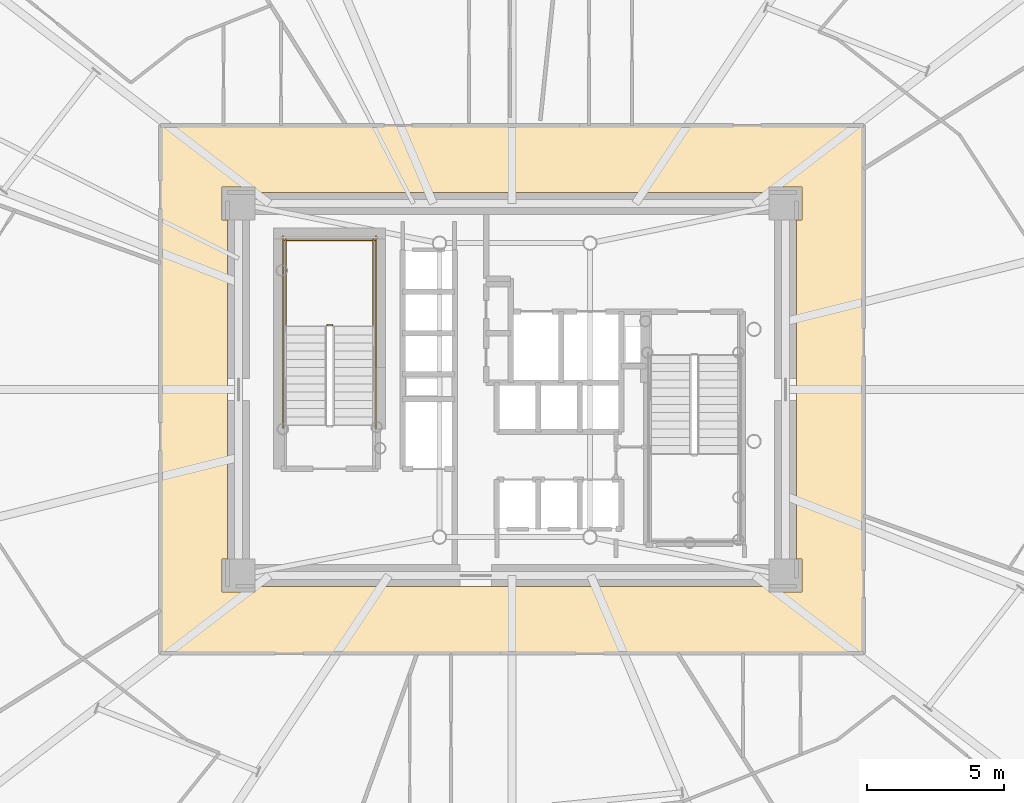
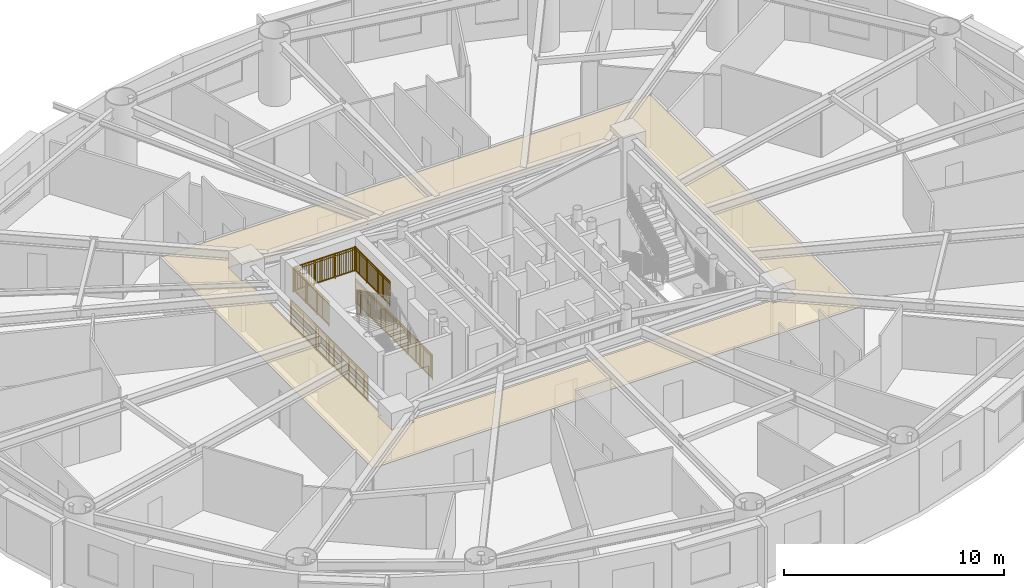
# One storey, part 18 of 21: 6 railings, 1 covering.
"""IFC4 building model written with IfcOpenShell, lengths in metres."""

from ifc_helpers import new_model, si_unit, direction, frame, origin, origin_2d, place, context, subcontext, project, spatial, polyline, rectangle, outline, extrude, source, transform, mapped, material, layer, layer_set, type_object, element, save


model = new_model("IFC4")

# Units and contexts
model_context = context("Model", 3, precision=1e-05, world=origin(), true_north=direction((0.0, 1.0)))
body_context = subcontext(model_context, "Body", "Model", "MODEL_VIEW")
ifc_project = project(units=[si_unit("LENGTHUNIT", "METRE"), si_unit("AREAUNIT", "SQUARE_METRE"), si_unit("VOLUMEUNIT", "CUBIC_METRE"), si_unit("PLANEANGLEUNIT", "RADIAN"), si_unit("MASSUNIT", "GRAM", prefix="KILO")], contexts=[model_context])

# Site, building, storey
site_placement = place(None, origin())
site = spatial("IfcSite", under=ifc_project, at=site_placement, CompositionType="ELEMENT")
building_placement = place(site_placement, origin())
building = spatial("IfcBuilding", under=site, at=building_placement, Name="Linh Dai School and Residence Tower", CompositionType="ELEMENT")
storey_placement = place(building_placement, frame((0.0, 0.0, 115.949951171875)))
storey = spatial("IfcBuildingStorey", under=building, at=storey_placement, Name="L27", CompositionType="ELEMENT", Elevation=115.949951171875)

# Covering
ifc_material_1 = material(Name="Mineral Fibre Acoustic Suspended Ceiling", Category="masonry")
ifc_layer = layer(ifc_material_1, 0.02001953125)
ifc_layer_set = layer_set([ifc_layer], Name="Mineral Fibre Acoustic Suspended Ceiling")
covering_type = type_object("IfcCoveringType", Name="COV-CEIL-AC-20", PredefinedType="CEILING", material=ifc_layer_set)
covering_placement = place(storey_placement, frame((0.0, 0.0, 2.85009765625)))
element("IfcCovering", 1, at=covering_placement, inside=storey, type_object=covering_type, Name="L27 Residential Floor Corridor Suspended Ceiling", PredefinedType="CEILING", context=body_context, shape_type="SweptSolid", body=[
    extrude(outline(polyline([(48.85009765625, 36.64990234375), (48.85009765625, 17.35009765625), (23.14990234375, 17.35009765625), (23.14990234375, 36.64990234375), (48.85009765625, 36.64990234375)]), holes=[polyline([(26.60009765625, 34.199951171875), (26.60009765625, 34.39990234375), (25.39990234375, 34.39990234375), (25.39990234375, 33.199951171875), (25.60009765625, 33.199951171875), (25.60009765625, 20.800048828125), (25.39990234375, 20.800048828125), (25.39990234375, 19.60009765625), (26.60009765625, 19.60009765625), (26.60009765625, 19.800048828125), (45.39990234375, 19.800048828125), (45.39990234375, 19.60009765625), (46.60009765625, 19.60009765625), (46.60009765625, 20.800048828125), (46.39990234375, 20.800048828125), (46.39990234375, 33.199951171875), (46.60009765625, 33.199951171875), (46.60009765625, 34.39990234375), (45.39990234375, 34.39990234375), (45.39990234375, 34.199951171875), (26.60009765625, 34.199951171875)])]), origin(), (0.0, 0.0, 1.0), 0.02001953125),
])

# Railings
ifc_material_2 = material(Name="Structural Steel S355JR", Category="steel")
railing_type = type_object("IfcRailingType", Name="RL-ST-GUARD-1400", PredefinedType="GUARDRAIL", material=ifc_material_2)
shared_shape_1 = source(origin(), body_context, "Body", "SweptSolid", [
    extrude(rectangle(XDim=0.048095703125, YDim=0.048095703125, at=origin_2d()), frame((0.0, 0.0, 1.3759765625), z_axis=(-1.0, 0.0, 0.0), x_axis=(0.0, -1.0, 0.0)), (0.0, 0.0, 1.0), 0.199951171875),
    extrude(rectangle(XDim=0.048095703125, YDim=0.048095703125, at=origin_2d()), frame((0.0, 0.0, 0.10009765625), z_axis=(-1.0, 0.0, 0.0), x_axis=(0.0, -1.0, 0.0)), (0.0, 0.0, 1.0), 0.199951171875),
    extrude(rectangle(XDim=0.030029296875, YDim=0.030029296875, at=origin_2d()), frame((0.0, 0.0, 1.239990234375), z_axis=(-1.0, 0.0, 0.0), x_axis=(0.0, -1.0, 0.0)), (0.0, 0.0, 1.0), 0.199951171875),
    extrude(rectangle(XDim=0.0419921875, YDim=0.0419921875, at=origin_2d()), origin(), (0.0, 0.0, 1.0), 1.3759765625),
    extrude(rectangle(XDim=0.0419921875, YDim=0.0419921875, at=origin_2d()), frame((-0.199951171875, 0.0, 0.0)), (0.0, 0.0, 1.0), 1.3759765625),
])
railing_1_placement = place(storey_placement, frame((29.429931640625, 29.35009765625, 1.875)))
element("IfcRailing", 2, at=railing_1_placement, inside=storey, type_object=railing_type, Name="L27 ST1 stair guard 2", PredefinedType="GUARDRAIL", context=body_context, shape_type="MappedRepresentation", body=[
    mapped(shared_shape_1, transform((0.0, 0.0, 0.0), x_axis=(1.0, 0.0, 0.0), y_axis=(0.0, 1.0, 0.0), z_axis=(0.0, 0.0, 1.0), scale=1.0)),
])
shared_shape_2 = source(origin(), body_context, "Body", "SweptSolid", [
    extrude(rectangle(XDim=0.048095703125, YDim=0.048095703125, at=origin_2d()), frame((0.0, 0.0, 1.3759765625), z_axis=(-1.0, 0.0, 0.0), x_axis=(0.0, -1.0, 0.0)), (0.0, 0.0, 1.0), 3.300048828125),
    extrude(rectangle(XDim=0.048095703125, YDim=0.048095703125, at=origin_2d()), frame((0.0, 0.0, 0.10009765625), z_axis=(-1.0, 0.0, 0.0), x_axis=(0.0, -1.0, 0.0)), (0.0, 0.0, 1.0), 3.300048828125),
    extrude(rectangle(XDim=0.030029296875, YDim=0.030029296875, at=origin_2d()), frame((0.0, 0.0, 1.239990234375), z_axis=(-1.0, 0.0, 0.0), x_axis=(0.0, -1.0, 0.0)), (0.0, 0.0, 1.0), 3.300048828125),
    extrude(rectangle(XDim=0.02001953125, YDim=0.02001953125, at=origin_2d()), frame((-0.09716796875, 0.0, 0.10009765625)), (0.0, 0.0, 1.0), 1.251708984375),
    extrude(rectangle(XDim=0.02001953125, YDim=0.02001953125, at=origin_2d()), frame((-0.194091796875, 0.0, 0.10009765625)), (0.0, 0.0, 1.0), 1.251708984375),
    extrude(rectangle(XDim=0.02001953125, YDim=0.02001953125, at=origin_2d()), frame((-0.291259765625, 0.0, 0.10009765625)), (0.0, 0.0, 1.0), 1.251708984375),
    extrude(rectangle(XDim=0.02001953125, YDim=0.02001953125, at=origin_2d()), frame((-0.38818359375, 0.0, 0.10009765625)), (0.0, 0.0, 1.0), 1.251708984375),
    extrude(rectangle(XDim=0.02001953125, YDim=0.02001953125, at=origin_2d()), frame((-0.4853515625, 0.0, 0.10009765625)), (0.0, 0.0, 1.0), 1.251708984375),
    extrude(rectangle(XDim=0.02001953125, YDim=0.02001953125, at=origin_2d()), frame((-0.582275390625, 0.0, 0.10009765625)), (0.0, 0.0, 1.0), 1.251708984375),
    extrude(rectangle(XDim=0.02001953125, YDim=0.02001953125, at=origin_2d()), frame((-0.679443359375, 0.0, 0.10009765625)), (0.0, 0.0, 1.0), 1.251708984375),
    extrude(rectangle(XDim=0.02001953125, YDim=0.02001953125, at=origin_2d()), frame((-0.7763671875, 0.0, 0.10009765625)), (0.0, 0.0, 1.0), 1.251708984375),
    extrude(rectangle(XDim=0.02001953125, YDim=0.02001953125, at=origin_2d()), frame((-0.87353515625, 0.0, 0.10009765625)), (0.0, 0.0, 1.0), 1.251708984375),
    extrude(rectangle(XDim=0.02001953125, YDim=0.02001953125, at=origin_2d()), frame((-0.970703125, 0.0, 0.10009765625)), (0.0, 0.0, 1.0), 1.251708984375),
    extrude(rectangle(XDim=0.02001953125, YDim=0.02001953125, at=origin_2d()), frame((-1.164794921875, 0.0, 0.10009765625)), (0.0, 0.0, 1.0), 1.251708984375),
    extrude(rectangle(XDim=0.02001953125, YDim=0.02001953125, at=origin_2d()), frame((-1.26171875, 0.0, 0.10009765625)), (0.0, 0.0, 1.0), 1.251708984375),
    extrude(rectangle(XDim=0.02001953125, YDim=0.02001953125, at=origin_2d()), frame((-1.35888671875, 0.0, 0.10009765625)), (0.0, 0.0, 1.0), 1.251708984375),
    extrude(rectangle(XDim=0.02001953125, YDim=0.02001953125, at=origin_2d()), frame((-1.455810546875, 0.0, 0.10009765625)), (0.0, 0.0, 1.0), 1.251708984375),
    extrude(rectangle(XDim=0.02001953125, YDim=0.02001953125, at=origin_2d()), frame((-1.552978515625, 0.0, 0.10009765625)), (0.0, 0.0, 1.0), 1.251708984375),
    extrude(rectangle(XDim=0.02001953125, YDim=0.02001953125, at=origin_2d()), frame((-1.64990234375, 0.0, 0.10009765625)), (0.0, 0.0, 1.0), 1.251708984375),
    extrude(rectangle(XDim=0.02001953125, YDim=0.02001953125, at=origin_2d()), frame((-1.7470703125, 0.0, 0.10009765625)), (0.0, 0.0, 1.0), 1.251708984375),
    extrude(rectangle(XDim=0.02001953125, YDim=0.02001953125, at=origin_2d()), frame((-1.84423828125, 0.0, 0.10009765625)), (0.0, 0.0, 1.0), 1.251708984375),
    extrude(rectangle(XDim=0.02001953125, YDim=0.02001953125, at=origin_2d()), frame((-1.941162109375, 0.0, 0.10009765625)), (0.0, 0.0, 1.0), 1.251708984375),
    extrude(rectangle(XDim=0.02001953125, YDim=0.02001953125, at=origin_2d()), frame((-2.038330078125, 0.0, 0.10009765625)), (0.0, 0.0, 1.0), 1.251708984375),
    extrude(rectangle(XDim=0.02001953125, YDim=0.02001953125, at=origin_2d()), frame((-2.13525390625, 0.0, 0.10009765625)), (0.0, 0.0, 1.0), 1.251708984375),
    extrude(rectangle(XDim=0.02001953125, YDim=0.02001953125, at=origin_2d()), frame((-2.329345703125, 0.0, 0.10009765625)), (0.0, 0.0, 1.0), 1.251708984375),
    extrude(rectangle(XDim=0.02001953125, YDim=0.02001953125, at=origin_2d()), frame((-2.426513671875, 0.0, 0.10009765625)), (0.0, 0.0, 1.0), 1.251708984375),
    extrude(rectangle(XDim=0.02001953125, YDim=0.02001953125, at=origin_2d()), frame((-2.523681640625, 0.0, 0.10009765625)), (0.0, 0.0, 1.0), 1.251708984375),
    extrude(rectangle(XDim=0.02001953125, YDim=0.02001953125, at=origin_2d()), frame((-2.62060546875, 0.0, 0.10009765625)), (0.0, 0.0, 1.0), 1.251708984375),
    extrude(rectangle(XDim=0.02001953125, YDim=0.02001953125, at=origin_2d()), frame((-2.7177734375, 0.0, 0.10009765625)), (0.0, 0.0, 1.0), 1.251708984375),
    extrude(rectangle(XDim=0.02001953125, YDim=0.02001953125, at=origin_2d()), frame((-2.814697265625, 0.0, 0.10009765625)), (0.0, 0.0, 1.0), 1.251708984375),
    extrude(rectangle(XDim=0.02001953125, YDim=0.02001953125, at=origin_2d()), frame((-2.911865234375, 0.0, 0.10009765625)), (0.0, 0.0, 1.0), 1.251708984375),
    extrude(rectangle(XDim=0.02001953125, YDim=0.02001953125, at=origin_2d()), frame((-3.0087890625, 0.0, 0.10009765625)), (0.0, 0.0, 1.0), 1.251708984375),
    extrude(rectangle(XDim=0.02001953125, YDim=0.02001953125, at=origin_2d()), frame((-3.10595703125, 0.0, 0.10009765625)), (0.0, 0.0, 1.0), 1.251708984375),
    extrude(rectangle(XDim=0.02001953125, YDim=0.02001953125, at=origin_2d()), frame((-3.202880859375, 0.0, 0.10009765625)), (0.0, 0.0, 1.0), 1.251708984375),
    extrude(rectangle(XDim=0.0419921875, YDim=0.0419921875, at=origin_2d()), origin(), (0.0, 0.0, 1.0), 1.3759765625),
    extrude(rectangle(XDim=0.0419921875, YDim=0.0419921875, at=origin_2d()), frame((-1.10009765625, 0.0, 0.0)), (0.0, 0.0, 1.0), 1.3759765625),
    extrude(rectangle(XDim=0.0419921875, YDim=0.0419921875, at=origin_2d()), frame((-2.199951171875, 0.0, 0.0)), (0.0, 0.0, 1.0), 1.3759765625),
    extrude(rectangle(XDim=0.0419921875, YDim=0.0419921875, at=origin_2d()), frame((-3.300048828125, 0.0, 0.0)), (0.0, 0.0, 1.0), 1.3759765625),
])
railing_2_placement = place(storey_placement, frame((30.97998046875, 32.449951171875, 1.875)))
element("IfcRailing", 3, at=railing_2_placement, inside=storey, type_object=railing_type, Name="L27 ST1 stair guard 5", PredefinedType="GUARDRAIL", context=body_context, shape_type="MappedRepresentation", body=[
    mapped(shared_shape_2, transform((0.0, 0.0, 0.0), x_axis=(1.0, 0.0, 0.0), y_axis=(0.0, 1.0, 0.0), z_axis=(0.0, 0.0, 1.0), scale=1.0)),
])
shared_shape_3 = source(origin(), body_context, "Body", "SweptSolid", [
    extrude(rectangle(XDim=0.048095703125, YDim=0.048095703125, at=origin_2d()), frame((0.0, 0.0, 1.3759765625), z_axis=(0.0, 1.0, 0.0), x_axis=(-1.0, 0.0, 0.0)), (0.0, 0.0, 1.0), 7.0),
    extrude(rectangle(XDim=0.048095703125, YDim=0.048095703125, at=origin_2d()), frame((0.0, 0.0, 0.10009765625), z_axis=(0.0, 1.0, 0.0), x_axis=(-1.0, 0.0, 0.0)), (0.0, 0.0, 1.0), 7.0),
    extrude(rectangle(XDim=0.030029296875, YDim=0.030029296875, at=origin_2d()), frame((0.0, 0.0, 1.239990234375), z_axis=(0.0, 1.0, 0.0), x_axis=(-1.0, 0.0, 0.0)), (0.0, 0.0, 1.0), 7.0),
    extrude(rectangle(XDim=0.02001953125, YDim=0.02001953125, at=origin_2d()), frame((0.0, 0.09716796875, 0.10009765625)), (0.0, 0.0, 1.0), 1.251708984375),
    extrude(rectangle(XDim=0.02001953125, YDim=0.02001953125, at=origin_2d()), frame((0.0, 0.1943359375, 0.10009765625)), (0.0, 0.0, 1.0), 1.251708984375),
    extrude(rectangle(XDim=0.02001953125, YDim=0.02001953125, at=origin_2d()), frame((0.0, 0.291748046875, 0.10009765625)), (0.0, 0.0, 1.0), 1.251708984375),
    extrude(rectangle(XDim=0.02001953125, YDim=0.02001953125, at=origin_2d()), frame((0.0, 0.388916015625, 0.10009765625)), (0.0, 0.0, 1.0), 1.251708984375),
    extrude(rectangle(XDim=0.02001953125, YDim=0.02001953125, at=origin_2d()), frame((0.0, 0.486083984375, 0.10009765625)), (0.0, 0.0, 1.0), 1.251708984375),
    extrude(rectangle(XDim=0.02001953125, YDim=0.02001953125, at=origin_2d()), frame((0.0, 0.583251953125, 0.10009765625)), (0.0, 0.0, 1.0), 1.251708984375),
    extrude(rectangle(XDim=0.02001953125, YDim=0.02001953125, at=origin_2d()), frame((0.0, 0.6806640625, 0.10009765625)), (0.0, 0.0, 1.0), 1.251708984375),
    extrude(rectangle(XDim=0.02001953125, YDim=0.02001953125, at=origin_2d()), frame((0.0, 0.77783203125, 0.10009765625)), (0.0, 0.0, 1.0), 1.251708984375),
    extrude(rectangle(XDim=0.02001953125, YDim=0.02001953125, at=origin_2d()), frame((0.0, 0.875, 0.10009765625)), (0.0, 0.0, 1.0), 1.251708984375),
    extrude(rectangle(XDim=0.02001953125, YDim=0.02001953125, at=origin_2d()), frame((0.0, 0.97216796875, 0.10009765625)), (0.0, 0.0, 1.0), 1.251708984375),
    extrude(rectangle(XDim=0.02001953125, YDim=0.02001953125, at=origin_2d()), frame((0.0, 1.0693359375, 0.10009765625)), (0.0, 0.0, 1.0), 1.251708984375),
    extrude(rectangle(XDim=0.02001953125, YDim=0.02001953125, at=origin_2d()), frame((0.0, 1.263916015625, 0.10009765625)), (0.0, 0.0, 1.0), 1.251708984375),
    extrude(rectangle(XDim=0.02001953125, YDim=0.02001953125, at=origin_2d()), frame((0.0, 1.361083984375, 0.10009765625)), (0.0, 0.0, 1.0), 1.251708984375),
    extrude(rectangle(XDim=0.02001953125, YDim=0.02001953125, at=origin_2d()), frame((0.0, 1.458251953125, 0.10009765625)), (0.0, 0.0, 1.0), 1.251708984375),
    extrude(rectangle(XDim=0.02001953125, YDim=0.02001953125, at=origin_2d()), frame((0.0, 1.5556640625, 0.10009765625)), (0.0, 0.0, 1.0), 1.251708984375),
    extrude(rectangle(XDim=0.02001953125, YDim=0.02001953125, at=origin_2d()), frame((0.0, 1.65283203125, 0.10009765625)), (0.0, 0.0, 1.0), 1.251708984375),
    extrude(rectangle(XDim=0.02001953125, YDim=0.02001953125, at=origin_2d()), frame((0.0, 1.75, 0.10009765625)), (0.0, 0.0, 1.0), 1.251708984375),
    extrude(rectangle(XDim=0.02001953125, YDim=0.02001953125, at=origin_2d()), frame((0.0, 1.84716796875, 0.10009765625)), (0.0, 0.0, 1.0), 1.251708984375),
    extrude(rectangle(XDim=0.02001953125, YDim=0.02001953125, at=origin_2d()), frame((0.0, 1.9443359375, 0.10009765625)), (0.0, 0.0, 1.0), 1.251708984375),
    extrude(rectangle(XDim=0.02001953125, YDim=0.02001953125, at=origin_2d()), frame((0.0, 2.041748046875, 0.10009765625)), (0.0, 0.0, 1.0), 1.251708984375),
    extrude(rectangle(XDim=0.02001953125, YDim=0.02001953125, at=origin_2d()), frame((0.0, 2.138916015625, 0.10009765625)), (0.0, 0.0, 1.0), 1.251708984375),
    extrude(rectangle(XDim=0.02001953125, YDim=0.02001953125, at=origin_2d()), frame((0.0, 2.236083984375, 0.10009765625)), (0.0, 0.0, 1.0), 1.251708984375),
    extrude(rectangle(XDim=0.02001953125, YDim=0.02001953125, at=origin_2d()), frame((0.0, 2.4306640625, 0.10009765625)), (0.0, 0.0, 1.0), 1.251708984375),
    extrude(rectangle(XDim=0.02001953125, YDim=0.02001953125, at=origin_2d()), frame((0.0, 2.52783203125, 0.10009765625)), (0.0, 0.0, 1.0), 1.251708984375),
    extrude(rectangle(XDim=0.02001953125, YDim=0.02001953125, at=origin_2d()), frame((0.0, 2.625, 0.10009765625)), (0.0, 0.0, 1.0), 1.251708984375),
    extrude(rectangle(XDim=0.02001953125, YDim=0.02001953125, at=origin_2d()), frame((0.0, 2.72216796875, 0.10009765625)), (0.0, 0.0, 1.0), 1.251708984375),
    extrude(rectangle(XDim=0.02001953125, YDim=0.02001953125, at=origin_2d()), frame((0.0, 2.8193359375, 0.10009765625)), (0.0, 0.0, 1.0), 1.251708984375),
    extrude(rectangle(XDim=0.02001953125, YDim=0.02001953125, at=origin_2d()), frame((0.0, 2.916748046875, 0.10009765625)), (0.0, 0.0, 1.0), 1.251708984375),
    extrude(rectangle(XDim=0.02001953125, YDim=0.02001953125, at=origin_2d()), frame((0.0, 3.013916015625, 0.10009765625)), (0.0, 0.0, 1.0), 1.251708984375),
    extrude(rectangle(XDim=0.02001953125, YDim=0.02001953125, at=origin_2d()), frame((0.0, 3.111083984375, 0.10009765625)), (0.0, 0.0, 1.0), 1.251708984375),
    extrude(rectangle(XDim=0.02001953125, YDim=0.02001953125, at=origin_2d()), frame((0.0, 3.208251953125, 0.10009765625)), (0.0, 0.0, 1.0), 1.251708984375),
    extrude(rectangle(XDim=0.02001953125, YDim=0.02001953125, at=origin_2d()), frame((0.0, 3.3056640625, 0.10009765625)), (0.0, 0.0, 1.0), 1.251708984375),
    extrude(rectangle(XDim=0.02001953125, YDim=0.02001953125, at=origin_2d()), frame((0.0, 3.40283203125, 0.10009765625)), (0.0, 0.0, 1.0), 1.251708984375),
    extrude(rectangle(XDim=0.02001953125, YDim=0.02001953125, at=origin_2d()), frame((0.0, 3.59716796875, 0.10009765625)), (0.0, 0.0, 1.0), 1.251708984375),
    extrude(rectangle(XDim=0.02001953125, YDim=0.02001953125, at=origin_2d()), frame((0.0, 3.6943359375, 0.10009765625)), (0.0, 0.0, 1.0), 1.251708984375),
    extrude(rectangle(XDim=0.02001953125, YDim=0.02001953125, at=origin_2d()), frame((0.0, 3.791748046875, 0.10009765625)), (0.0, 0.0, 1.0), 1.251708984375),
    extrude(rectangle(XDim=0.02001953125, YDim=0.02001953125, at=origin_2d()), frame((0.0, 3.888916015625, 0.10009765625)), (0.0, 0.0, 1.0), 1.251708984375),
    extrude(rectangle(XDim=0.02001953125, YDim=0.02001953125, at=origin_2d()), frame((0.0, 3.986083984375, 0.10009765625)), (0.0, 0.0, 1.0), 1.251708984375),
    extrude(rectangle(XDim=0.02001953125, YDim=0.02001953125, at=origin_2d()), frame((0.0, 4.083251953125, 0.10009765625)), (0.0, 0.0, 1.0), 1.251708984375),
    extrude(rectangle(XDim=0.02001953125, YDim=0.02001953125, at=origin_2d()), frame((0.0, 4.1806640625, 0.10009765625)), (0.0, 0.0, 1.0), 1.251708984375),
    extrude(rectangle(XDim=0.02001953125, YDim=0.02001953125, at=origin_2d()), frame((0.0, 4.27783203125, 0.10009765625)), (0.0, 0.0, 1.0), 1.251708984375),
    extrude(rectangle(XDim=0.02001953125, YDim=0.02001953125, at=origin_2d()), frame((0.0, 4.375, 0.10009765625)), (0.0, 0.0, 1.0), 1.251708984375),
    extrude(rectangle(XDim=0.02001953125, YDim=0.02001953125, at=origin_2d()), frame((0.0, 4.47216796875, 0.10009765625)), (0.0, 0.0, 1.0), 1.251708984375),
    extrude(rectangle(XDim=0.02001953125, YDim=0.02001953125, at=origin_2d()), frame((0.0, 4.5693359375, 0.10009765625)), (0.0, 0.0, 1.0), 1.251708984375),
    extrude(rectangle(XDim=0.02001953125, YDim=0.02001953125, at=origin_2d()), frame((0.0, 4.763916015625, 0.10009765625)), (0.0, 0.0, 1.0), 1.251708984375),
    extrude(rectangle(XDim=0.02001953125, YDim=0.02001953125, at=origin_2d()), frame((0.0, 4.861083984375, 0.10009765625)), (0.0, 0.0, 1.0), 1.251708984375),
    extrude(rectangle(XDim=0.02001953125, YDim=0.02001953125, at=origin_2d()), frame((0.0, 4.958251953125, 0.10009765625)), (0.0, 0.0, 1.0), 1.251708984375),
    extrude(rectangle(XDim=0.02001953125, YDim=0.02001953125, at=origin_2d()), frame((0.0, 5.0556640625, 0.10009765625)), (0.0, 0.0, 1.0), 1.251708984375),
    extrude(rectangle(XDim=0.02001953125, YDim=0.02001953125, at=origin_2d()), frame((0.0, 5.15283203125, 0.10009765625)), (0.0, 0.0, 1.0), 1.251708984375),
    extrude(rectangle(XDim=0.02001953125, YDim=0.02001953125, at=origin_2d()), frame((0.0, 5.25, 0.10009765625)), (0.0, 0.0, 1.0), 1.251708984375),
    extrude(rectangle(XDim=0.02001953125, YDim=0.02001953125, at=origin_2d()), frame((0.0, 5.34716796875, 0.10009765625)), (0.0, 0.0, 1.0), 1.251708984375),
    extrude(rectangle(XDim=0.02001953125, YDim=0.02001953125, at=origin_2d()), frame((0.0, 5.4443359375, 0.10009765625)), (0.0, 0.0, 1.0), 1.251708984375),
    extrude(rectangle(XDim=0.02001953125, YDim=0.02001953125, at=origin_2d()), frame((0.0, 5.541748046875, 0.10009765625)), (0.0, 0.0, 1.0), 1.251708984375),
    extrude(rectangle(XDim=0.02001953125, YDim=0.02001953125, at=origin_2d()), frame((0.0, 5.638916015625, 0.10009765625)), (0.0, 0.0, 1.0), 1.251708984375),
    extrude(rectangle(XDim=0.02001953125, YDim=0.02001953125, at=origin_2d()), frame((0.0, 5.736083984375, 0.10009765625)), (0.0, 0.0, 1.0), 1.251708984375),
    extrude(rectangle(XDim=0.02001953125, YDim=0.02001953125, at=origin_2d()), frame((0.0, 5.9306640625, 0.10009765625)), (0.0, 0.0, 1.0), 1.251708984375),
    extrude(rectangle(XDim=0.02001953125, YDim=0.02001953125, at=origin_2d()), frame((0.0, 6.02783203125, 0.10009765625)), (0.0, 0.0, 1.0), 1.251708984375),
    extrude(rectangle(XDim=0.02001953125, YDim=0.02001953125, at=origin_2d()), frame((0.0, 6.125, 0.10009765625)), (0.0, 0.0, 1.0), 1.251708984375),
    extrude(rectangle(XDim=0.02001953125, YDim=0.02001953125, at=origin_2d()), frame((0.0, 6.22216796875, 0.10009765625)), (0.0, 0.0, 1.0), 1.251708984375),
    extrude(rectangle(XDim=0.02001953125, YDim=0.02001953125, at=origin_2d()), frame((0.0, 6.3193359375, 0.10009765625)), (0.0, 0.0, 1.0), 1.251708984375),
    extrude(rectangle(XDim=0.02001953125, YDim=0.02001953125, at=origin_2d()), frame((0.0, 6.416748046875, 0.10009765625)), (0.0, 0.0, 1.0), 1.251708984375),
    extrude(rectangle(XDim=0.02001953125, YDim=0.02001953125, at=origin_2d()), frame((0.0, 6.513916015625, 0.10009765625)), (0.0, 0.0, 1.0), 1.251708984375),
    extrude(rectangle(XDim=0.02001953125, YDim=0.02001953125, at=origin_2d()), frame((0.0, 6.611083984375, 0.10009765625)), (0.0, 0.0, 1.0), 1.251708984375),
    extrude(rectangle(XDim=0.02001953125, YDim=0.02001953125, at=origin_2d()), frame((0.0, 6.708251953125, 0.10009765625)), (0.0, 0.0, 1.0), 1.251708984375),
    extrude(rectangle(XDim=0.02001953125, YDim=0.02001953125, at=origin_2d()), frame((0.0, 6.8056640625, 0.10009765625)), (0.0, 0.0, 1.0), 1.251708984375),
    extrude(rectangle(XDim=0.02001953125, YDim=0.02001953125, at=origin_2d()), frame((0.0, 6.90283203125, 0.10009765625)), (0.0, 0.0, 1.0), 1.251708984375),
    extrude(rectangle(XDim=0.0419921875, YDim=0.0419921875, at=origin_2d()), origin(), (0.0, 0.0, 1.0), 1.3759765625),
    extrude(rectangle(XDim=0.0419921875, YDim=0.0419921875, at=origin_2d()), frame((0.0, 1.166748046875, 0.0)), (0.0, 0.0, 1.0), 1.3759765625),
    extrude(rectangle(XDim=0.0419921875, YDim=0.0419921875, at=origin_2d()), frame((0.0, 2.333251953125, 0.0)), (0.0, 0.0, 1.0), 1.3759765625),
    extrude(rectangle(XDim=0.0419921875, YDim=0.0419921875, at=origin_2d()), frame((0.0, 3.5, 0.0)), (0.0, 0.0, 1.0), 1.3759765625),
    extrude(rectangle(XDim=0.0419921875, YDim=0.0419921875, at=origin_2d()), frame((0.0, 4.666748046875, 0.0)), (0.0, 0.0, 1.0), 1.3759765625),
    extrude(rectangle(XDim=0.0419921875, YDim=0.0419921875, at=origin_2d()), frame((0.0, 5.833251953125, 0.0)), (0.0, 0.0, 1.0), 1.3759765625),
    extrude(rectangle(XDim=0.0419921875, YDim=0.0419921875, at=origin_2d()), frame((0.0, 7.0, 0.0)), (0.0, 0.0, 1.0), 1.3759765625),
])
for number, where, name in (
    (4, (31.030029296875, 25.60009765625, 0.0), "L27 ST1 stair guard 10"),
    (5, (27.6298828125, 25.60009765625, 0.0), "L27 ST1 stair guard 11"),
):
    element("IfcRailing", number, at=place(storey_placement, frame(where)), inside=storey, type_object=railing_type, Name=name, PredefinedType="GUARDRAIL", context=body_context, shape_type="MappedRepresentation", body=[
        mapped(shared_shape_3, transform((0.0, 0.0, 0.0), x_axis=(1.0, 0.0, 0.0), y_axis=(0.0, 1.0, 0.0), z_axis=(0.0, 0.0, 1.0), scale=1.0)),
    ])
shared_shape_4 = source(origin(), body_context, "Body", "SweptSolid", [
    extrude(rectangle(XDim=0.048095703125, YDim=0.048095703125, at=origin_2d()), frame((0.0, 0.0, 1.3759765625), z_axis=(0.0, 1.0, 0.0), x_axis=(-1.0, 0.0, 0.0)), (0.0, 0.0, 1.0), 3.199951171875),
    extrude(rectangle(XDim=0.048095703125, YDim=0.048095703125, at=origin_2d()), frame((0.0, 0.0, 0.10009765625), z_axis=(0.0, 1.0, 0.0), x_axis=(-1.0, 0.0, 0.0)), (0.0, 0.0, 1.0), 3.199951171875),
    extrude(rectangle(XDim=0.030029296875, YDim=0.030029296875, at=origin_2d()), frame((0.0, 0.0, 1.239990234375), z_axis=(0.0, 1.0, 0.0), x_axis=(-1.0, 0.0, 0.0)), (0.0, 0.0, 1.0), 3.199951171875),
    extrude(rectangle(XDim=0.02001953125, YDim=0.02001953125, at=origin_2d()), frame((0.0, 0.096923828125, 0.10009765625)), (0.0, 0.0, 1.0), 1.251708984375),
    extrude(rectangle(XDim=0.02001953125, YDim=0.02001953125, at=origin_2d()), frame((0.0, 0.19384765625, 0.10009765625)), (0.0, 0.0, 1.0), 1.251708984375),
    extrude(rectangle(XDim=0.02001953125, YDim=0.02001953125, at=origin_2d()), frame((0.0, 0.291015625, 0.10009765625)), (0.0, 0.0, 1.0), 1.251708984375),
    extrude(rectangle(XDim=0.02001953125, YDim=0.02001953125, at=origin_2d()), frame((0.0, 0.387939453125, 0.10009765625)), (0.0, 0.0, 1.0), 1.251708984375),
    extrude(rectangle(XDim=0.02001953125, YDim=0.02001953125, at=origin_2d()), frame((0.0, 0.48486328125, 0.10009765625)), (0.0, 0.0, 1.0), 1.251708984375),
    extrude(rectangle(XDim=0.02001953125, YDim=0.02001953125, at=origin_2d()), frame((0.0, 0.581787109375, 0.10009765625)), (0.0, 0.0, 1.0), 1.251708984375),
    extrude(rectangle(XDim=0.02001953125, YDim=0.02001953125, at=origin_2d()), frame((0.0, 0.6787109375, 0.10009765625)), (0.0, 0.0, 1.0), 1.251708984375),
    extrude(rectangle(XDim=0.02001953125, YDim=0.02001953125, at=origin_2d()), frame((0.0, 0.775634765625, 0.10009765625)), (0.0, 0.0, 1.0), 1.251708984375),
    extrude(rectangle(XDim=0.02001953125, YDim=0.02001953125, at=origin_2d()), frame((0.0, 0.872802734375, 0.10009765625)), (0.0, 0.0, 1.0), 1.251708984375),
    extrude(rectangle(XDim=0.02001953125, YDim=0.02001953125, at=origin_2d()), frame((0.0, 0.9697265625, 0.10009765625)), (0.0, 0.0, 1.0), 1.251708984375),
    extrude(rectangle(XDim=0.02001953125, YDim=0.02001953125, at=origin_2d()), frame((0.0, 1.16357421875, 0.10009765625)), (0.0, 0.0, 1.0), 1.251708984375),
    extrude(rectangle(XDim=0.02001953125, YDim=0.02001953125, at=origin_2d()), frame((0.0, 1.260498046875, 0.10009765625)), (0.0, 0.0, 1.0), 1.251708984375),
    extrude(rectangle(XDim=0.02001953125, YDim=0.02001953125, at=origin_2d()), frame((0.0, 1.357666015625, 0.10009765625)), (0.0, 0.0, 1.0), 1.251708984375),
    extrude(rectangle(XDim=0.02001953125, YDim=0.02001953125, at=origin_2d()), frame((0.0, 1.45458984375, 0.10009765625)), (0.0, 0.0, 1.0), 1.251708984375),
    extrude(rectangle(XDim=0.02001953125, YDim=0.02001953125, at=origin_2d()), frame((0.0, 1.551513671875, 0.10009765625)), (0.0, 0.0, 1.0), 1.251708984375),
    extrude(rectangle(XDim=0.02001953125, YDim=0.02001953125, at=origin_2d()), frame((0.0, 1.6484375, 0.10009765625)), (0.0, 0.0, 1.0), 1.251708984375),
    extrude(rectangle(XDim=0.02001953125, YDim=0.02001953125, at=origin_2d()), frame((0.0, 1.745361328125, 0.10009765625)), (0.0, 0.0, 1.0), 1.251708984375),
    extrude(rectangle(XDim=0.02001953125, YDim=0.02001953125, at=origin_2d()), frame((0.0, 1.84228515625, 0.10009765625)), (0.0, 0.0, 1.0), 1.251708984375),
    extrude(rectangle(XDim=0.02001953125, YDim=0.02001953125, at=origin_2d()), frame((0.0, 1.939453125, 0.10009765625)), (0.0, 0.0, 1.0), 1.251708984375),
    extrude(rectangle(XDim=0.02001953125, YDim=0.02001953125, at=origin_2d()), frame((0.0, 2.036376953125, 0.10009765625)), (0.0, 0.0, 1.0), 1.251708984375),
    extrude(rectangle(XDim=0.02001953125, YDim=0.02001953125, at=origin_2d()), frame((0.0, 2.230224609375, 0.10009765625)), (0.0, 0.0, 1.0), 1.251708984375),
    extrude(rectangle(XDim=0.02001953125, YDim=0.02001953125, at=origin_2d()), frame((0.0, 2.3271484375, 0.10009765625)), (0.0, 0.0, 1.0), 1.251708984375),
    extrude(rectangle(XDim=0.02001953125, YDim=0.02001953125, at=origin_2d()), frame((0.0, 2.42431640625, 0.10009765625)), (0.0, 0.0, 1.0), 1.251708984375),
    extrude(rectangle(XDim=0.02001953125, YDim=0.02001953125, at=origin_2d()), frame((0.0, 2.521240234375, 0.10009765625)), (0.0, 0.0, 1.0), 1.251708984375),
    extrude(rectangle(XDim=0.02001953125, YDim=0.02001953125, at=origin_2d()), frame((0.0, 2.6181640625, 0.10009765625)), (0.0, 0.0, 1.0), 1.251708984375),
    extrude(rectangle(XDim=0.02001953125, YDim=0.02001953125, at=origin_2d()), frame((0.0, 2.715087890625, 0.10009765625)), (0.0, 0.0, 1.0), 1.251708984375),
    extrude(rectangle(XDim=0.02001953125, YDim=0.02001953125, at=origin_2d()), frame((0.0, 2.81201171875, 0.10009765625)), (0.0, 0.0, 1.0), 1.251708984375),
    extrude(rectangle(XDim=0.02001953125, YDim=0.02001953125, at=origin_2d()), frame((0.0, 2.908935546875, 0.10009765625)), (0.0, 0.0, 1.0), 1.251708984375),
    extrude(rectangle(XDim=0.02001953125, YDim=0.02001953125, at=origin_2d()), frame((0.0, 3.006103515625, 0.10009765625)), (0.0, 0.0, 1.0), 1.251708984375),
    extrude(rectangle(XDim=0.02001953125, YDim=0.02001953125, at=origin_2d()), frame((0.0, 3.10302734375, 0.10009765625)), (0.0, 0.0, 1.0), 1.251708984375),
    extrude(rectangle(XDim=0.0419921875, YDim=0.0419921875, at=origin_2d()), origin(), (0.0, 0.0, 1.0), 1.3759765625),
    extrude(rectangle(XDim=0.0419921875, YDim=0.0419921875, at=origin_2d()), frame((0.0, 1.066650390625, 0.0)), (0.0, 0.0, 1.0), 1.3759765625),
    extrude(rectangle(XDim=0.0419921875, YDim=0.0419921875, at=origin_2d()), frame((0.0, 2.13330078125, 0.0)), (0.0, 0.0, 1.0), 1.3759765625),
    extrude(rectangle(XDim=0.0419921875, YDim=0.0419921875, at=origin_2d()), frame((0.0, 3.199951171875, 0.0)), (0.0, 0.0, 1.0), 1.3759765625),
])
for number, where, name in (
    (6, (30.929931640625, 29.300048828125, 1.875), "L27 ST1 stair guard 3"),
    (7, (27.72998046875, 29.300048828125, 1.875), "L27 ST1 stair guard 4"),
):
    element("IfcRailing", number, at=place(storey_placement, frame(where)), inside=storey, type_object=railing_type, Name=name, PredefinedType="GUARDRAIL", context=body_context, shape_type="MappedRepresentation", body=[
        mapped(shared_shape_4, transform((0.0, 0.0, 0.0), x_axis=(1.0, 0.0, 0.0), y_axis=(0.0, 1.0, 0.0), z_axis=(0.0, 0.0, 1.0), scale=1.0)),
    ])

save(model, "model.ifc")
